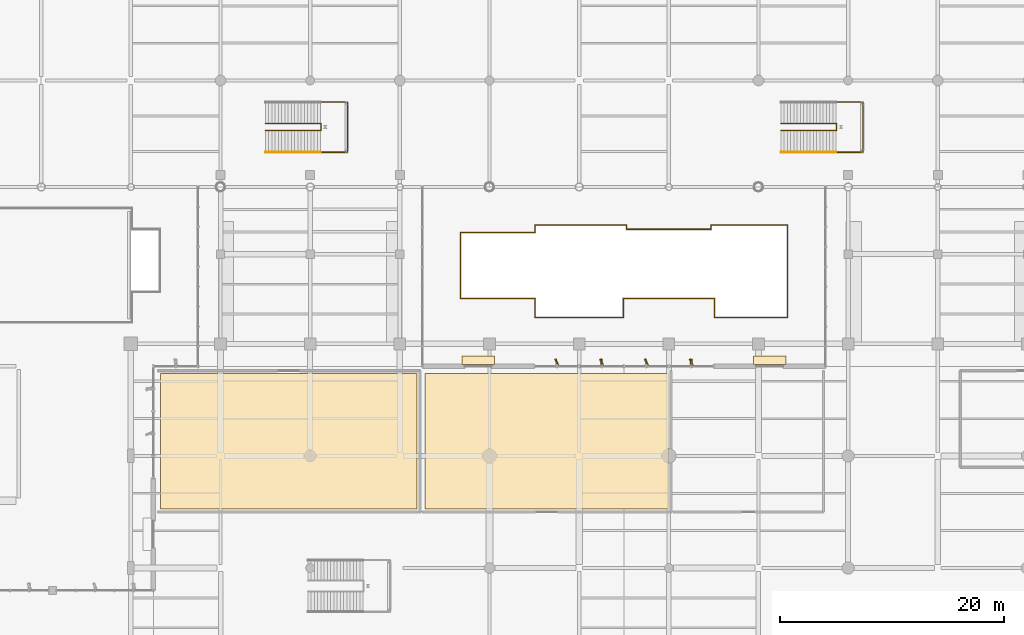
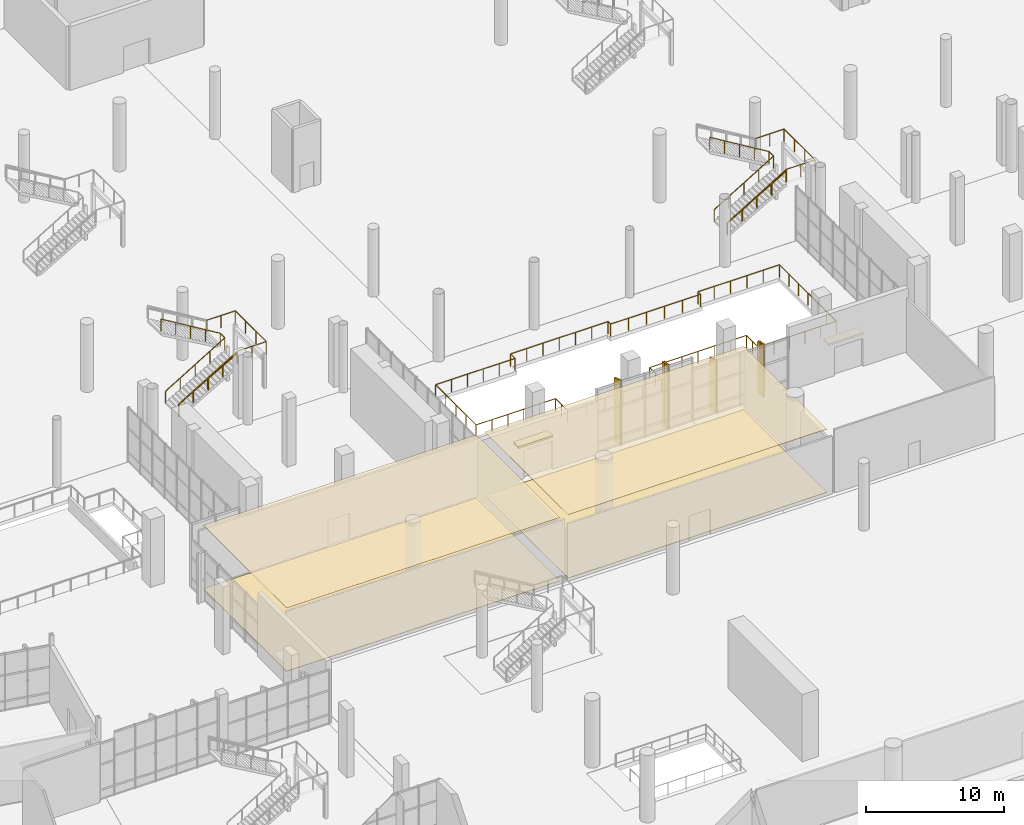
# One storey, part 153 of 163: 9 railings, 8 coverings, 4 shading devices, 2 elements without a shape of their own.
"""IFC4 building model written with IfcOpenShell, lengths in metres."""

from ifc_helpers import new_model, si_unit, direction, frame, origin, origin_2d, place, context, subcontext, project, spatial, polyline, rectangle, outline, extrude, material, layer, layer_set, type_object, element, aggregate, save


model = new_model("IFC4")

# Units and contexts
model_context = context("Model", 3, precision=1e-05, world=origin(), true_north=direction((0.0, 1.0)))
body_context = subcontext(model_context, "Body", "Model", "MODEL_VIEW")
ifc_project = project(units=[si_unit("LENGTHUNIT", "METRE"), si_unit("AREAUNIT", "SQUARE_METRE"), si_unit("VOLUMEUNIT", "CUBIC_METRE"), si_unit("PLANEANGLEUNIT", "RADIAN"), si_unit("MASSUNIT", "GRAM", prefix="KILO")], contexts=[model_context])

# Site, building, storey
site_placement = place(None, origin())
site = spatial("IfcSite", under=ifc_project, at=site_placement, CompositionType="ELEMENT")
building_placement = place(site_placement, origin())
building = spatial("IfcBuilding", under=site, at=building_placement, Name="Khorjan Park Terminus", CompositionType="ELEMENT")
storey_placement = place(building_placement, origin())
storey = spatial("IfcBuildingStorey", under=building, at=storey_placement, Name="L00", CompositionType="ELEMENT", Elevation=0.0)

# Coverings
ifc_material_1 = material(Name="Perforated Acoustic Aluminium Baffle Ceiling", Category="aluminium")
ifc_layer_1 = layer(ifc_material_1, 0.03)
ifc_layer_set_1 = layer_set([ifc_layer_1], Name="Perforated Acoustic Aluminium Baffle Ceiling")
covering_type_1 = type_object("IfcCoveringType", Name="CV-CLG-ACS", PredefinedType="CEILING", material=ifc_layer_set_1)
covering_1_placement = place(storey_placement, frame((0.0, 0.0, 5.615)))
element("IfcCovering", 1, at=covering_1_placement, inside=storey, type_object=covering_type_1, Name="Flush acoustic baffle ceiling AC-60 (L00-RET1)", PredefinedType="CEILING", context=body_context, shape_type="SweptSolid", body=[
    extrude(outline(polyline([(73.55, 85.35), (73.55, 73.25), (50.65, 73.25), (50.65, 85.35), (73.55, 85.35)])), origin(), (0.0, 0.0, 1.0), 0.03),
])
covering_2_placement = place(storey_placement, frame((0.0, 0.0, 5.615)))
element("IfcCovering", 2, at=covering_2_placement, inside=storey, type_object=covering_type_1, Name="Flush acoustic baffle ceiling AC-60 (L00-RET2)", PredefinedType="CEILING", context=body_context, shape_type="SweptSolid", body=[
    extrude(outline(polyline([(95.95, 85.35), (95.95, 73.25), (74.25, 73.25), (74.25, 85.35), (95.95, 85.35)])), origin(), (0.0, 0.0, 1.0), 0.03),
])
ifc_material_2 = material(Name="Pigmented Precast GRC", Category="concrete")
ifc_layer_2 = layer(ifc_material_2, 0.16)
ifc_layer_set_2 = layer_set([ifc_layer_2], Name="Pigmented Precast GRC")
covering_type_2 = type_object("IfcCoveringType", Name="CV-FIN-GRC", PredefinedType="CLADDING", material=ifc_layer_set_2)
covering_3_placement = place(storey_placement, frame((90.0, 86.355, -0.02), z_axis=(0.0, 0.0, 1.0), x_axis=(0.0, -1.0, 0.0)))
element("IfcCovering", 3, at=covering_3_placement, inside=storey, type_object=covering_type_2, Name="Projecting desert-sandstone GRC facade fin CL-FN1 (CW-V2-N-L00-04-1)", PredefinedType="CLADDING", context=body_context, shape_type="SweptSolid", body=[
    extrude(rectangle(XDim=0.58, YDim=0.16, at=origin_2d()), origin(), (0.0, 0.0, 1.0), 5.66),
])
covering_4_placement = place(storey_placement, frame((98.0, 86.355, -0.02), z_axis=(0.0, 0.0, 1.0), x_axis=(0.0, -1.0, 0.0)))
element("IfcCovering", 4, at=covering_4_placement, inside=storey, type_object=covering_type_2, Name="Projecting desert-sandstone GRC facade fin CL-FN1 (CW-V2-N-L00-05-1)", PredefinedType="CLADDING", context=body_context, shape_type="SweptSolid", body=[
    extrude(rectangle(XDim=0.58, YDim=0.16, at=origin_2d()), origin(), (0.0, 0.0, 1.0), 4.665),
])
ifc_material_3 = material(Name="Polished Desert Limestone Terrazzo", Category="masonry")
ifc_layer_3 = layer(ifc_material_3, 0.035)
ifc_layer_set_3 = layer_set([ifc_layer_3], Name="Polished Desert Limestone Terrazzo")
covering_type_3 = type_object("IfcCoveringType", Name="CV-FLR-TRZ", PredefinedType="FLOORING", material=ifc_layer_set_3)
covering_5_placement = place(storey_placement, origin())
element("IfcCovering", 5, at=covering_5_placement, inside=storey, type_object=covering_type_3, Name="Architectural floor finish FF-TRZ (L00-RET1)", PredefinedType="FLOORING", context=body_context, shape_type="SweptSolid", body=[
    extrude(outline(polyline([(73.55, 85.35), (73.55, 73.25), (50.65, 73.25), (50.65, 85.35), (73.55, 85.35)])), origin(), (0.0, 0.0, 1.0), 0.035),
])
covering_6_placement = place(storey_placement, origin())
element("IfcCovering", 6, at=covering_6_placement, inside=storey, type_object=covering_type_3, Name="Architectural floor finish FF-TRZ (L00-RET2)", PredefinedType="FLOORING", context=body_context, shape_type="SweptSolid", body=[
    extrude(outline(polyline([(95.95, 85.35), (95.95, 73.25), (74.25, 73.25), (74.25, 85.35), (95.95, 85.35)])), origin(), (0.0, 0.0, 1.0), 0.035),
])
ifc_layer_4 = layer(ifc_material_2, 0.18)
ifc_layer_set_4 = layer_set([ifc_layer_4], Name="Pigmented Precast GRC")
covering_type_4 = type_object("IfcCoveringType", Name="CV-HOOD-GRC", PredefinedType="CLADDING", material=ifc_layer_set_4)
for number, where, z_axis, x_axis, name in (
    (7, (79.0, 86.53, 2.51), (0.0, 0.0, 1.0), (-1.0, 0.0, 0.0), "Projecting pigmented-GRC entrance canopy hood CL-HD1 (EW-V2-N-L00-03)"),
    (8, (105.0, 86.53, 2.51), (0.0, 0.0, 1.0), (-1.0, 0.0, 0.0), "Projecting pigmented-GRC entrance canopy hood CL-HD1 (EW-V2-N-L00-06)"),
):
    element("IfcCovering", number, at=place(storey_placement, frame(where, z_axis=z_axis, x_axis=x_axis)), inside=storey, type_object=covering_type_4, Name=name, PredefinedType="CLADDING", context=body_context, shape_type="SweptSolid", body=[
        extrude(rectangle(XDim=2.9, YDim=0.76, at=origin_2d()), origin(), (0.0, 0.0, 1.0), 0.18),
    ])

# Stair, railings
ifc_material_4 = material(Name="Concrete C40/50", Category="concrete")
stair_type = type_object("IfcStairType", Name="STR-PUB-200", PredefinedType="HALF_TURN_STAIR", material=ifc_material_4)
stair_1_placement = place(storey_placement, origin())
stair_1 = element("IfcStair", 9, at=stair_1_placement, inside=storey, type_object=stair_type, Name="Public passenger half-turn stair PS-01", PredefinedType="HALF_TURN_STAIR")
ifc_material_5 = material(Name="Steel S355", Category="steel")
railing_type_1 = type_object("IfcRailingType", Name="GR-112", PredefinedType="GUARDRAIL", material=ifc_material_5)
railing_1_placement = place(storey_placement, frame((60.0, 107.02, 0.0)))
railing_1 = element("IfcRailing", 10, at=railing_1_placement, type_object=railing_type_1, Name="Stair PS-01 inner well slot guard GR-112", PredefinedType="GUARDRAIL", context=body_context, shape_type="SweptSolid", body=[
    extrude(rectangle(XDim=0.048, YDim=0.048, at=origin_2d()), frame((0.0, 0.0, 1.096), z_axis=(0.856121964148, 0.0, 0.516773821418), x_axis=(0.0, 1.0, 0.0)), (0.0, 0.0, 1.0), 5.8052),
    extrude(rectangle(XDim=0.048, YDim=0.048, at=origin_2d()), frame((4.97, 0.0, 4.096), z_axis=(0.0, 1.0, 0.0), x_axis=(-1.0, 0.0, 0.0)), (0.0, 0.0, 1.0), 0.66),
    extrude(rectangle(XDim=0.048, YDim=0.048, at=origin_2d()), frame((4.97, 0.66, 4.096), z_axis=(-0.856121964148, 0.0, 0.516773821418), x_axis=(0.0, -1.0, 0.0)), (0.0, 0.0, 1.0), 5.8052),
    extrude(rectangle(XDim=0.042, YDim=0.042, at=origin_2d()), origin(), (0.0, 0.0, 1.0), 1.072),
    extrude(rectangle(XDim=0.042, YDim=0.042, at=origin_2d()), frame((1.2425, 0.0, 0.75)), (0.0, 0.0, 1.0), 1.072),
    extrude(rectangle(XDim=0.042, YDim=0.042, at=origin_2d()), frame((2.485, 0.0, 1.5)), (0.0, 0.0, 1.0), 1.072),
    extrude(rectangle(XDim=0.042, YDim=0.042, at=origin_2d()), frame((3.7275, 0.0, 2.25)), (0.0, 0.0, 1.0), 1.072),
    extrude(rectangle(XDim=0.042, YDim=0.042, at=origin_2d()), frame((4.97, 0.0, 3.0)), (0.0, 0.0, 1.0), 1.072),
    extrude(rectangle(XDim=0.042, YDim=0.042, at=origin_2d()), frame((4.97, 0.66, 3.0)), (0.0, 0.0, 1.0), 1.072),
    extrude(rectangle(XDim=0.042, YDim=0.042, at=origin_2d()), frame((3.7275, 0.66, 3.75)), (0.0, 0.0, 1.0), 1.072),
    extrude(rectangle(XDim=0.042, YDim=0.042, at=origin_2d()), frame((2.485, 0.66, 4.5)), (0.0, 0.0, 1.0), 1.072),
    extrude(rectangle(XDim=0.042, YDim=0.042, at=origin_2d()), frame((1.2425, 0.66, 5.25)), (0.0, 0.0, 1.0), 1.072),
    extrude(rectangle(XDim=0.042, YDim=0.042, at=origin_2d()), frame((0.0, 0.66, 6.0)), (0.0, 0.0, 1.0), 1.072),
])
railing_2_placement = place(storey_placement, frame((64.93, 105.1, 3.0)))
railing_2 = element("IfcRailing", 11, at=railing_2_placement, type_object=railing_type_1, Name="Stair PS-01 horizontal half-landing guard GR-112", PredefinedType="GUARDRAIL", context=body_context, shape_type="SweptSolid", body=[
    extrude(rectangle(XDim=0.048, YDim=0.048, at=origin_2d()), frame((0.0, 0.0, 1.096), z_axis=(1.0, 0.0, 0.0), x_axis=(0.0, 1.0, 0.0)), (0.0, 0.0, 1.0), 2.41),
    extrude(rectangle(XDim=0.048, YDim=0.048, at=origin_2d()), frame((2.41, 0.0, 1.096), z_axis=(0.0, 1.0, 0.0), x_axis=(-1.0, 0.0, 0.0)), (0.0, 0.0, 1.0), 4.5),
    extrude(rectangle(XDim=0.048, YDim=0.048, at=origin_2d()), frame((2.41, 4.5, 1.096), z_axis=(-1.0, 0.0, 0.0), x_axis=(0.0, -1.0, 0.0)), (0.0, 0.0, 1.0), 2.41),
    extrude(rectangle(XDim=0.042, YDim=0.042, at=origin_2d()), origin(), (0.0, 0.0, 1.0), 1.072),
    extrude(rectangle(XDim=0.042, YDim=0.042, at=origin_2d()), frame((1.205, 0.0, 0.0)), (0.0, 0.0, 1.0), 1.072),
    extrude(rectangle(XDim=0.042, YDim=0.042, at=origin_2d()), frame((2.41, 0.0, 0.0)), (0.0, 0.0, 1.0), 1.072),
    extrude(rectangle(XDim=0.042, YDim=0.042, at=origin_2d()), frame((2.41, 1.5, 0.0)), (0.0, 0.0, 1.0), 1.072),
    extrude(rectangle(XDim=0.042, YDim=0.042, at=origin_2d()), frame((2.41, 3.0, 0.0)), (0.0, 0.0, 1.0), 1.072),
    extrude(rectangle(XDim=0.042, YDim=0.042, at=origin_2d()), frame((2.41, 4.5, 0.0)), (0.0, 0.0, 1.0), 1.072),
    extrude(rectangle(XDim=0.042, YDim=0.042, at=origin_2d()), frame((1.205, 4.5, 0.0)), (0.0, 0.0, 1.0), 1.072),
    extrude(rectangle(XDim=0.042, YDim=0.042, at=origin_2d()), frame((0.0, 4.5, 0.0)), (0.0, 0.0, 1.0), 1.072),
])
railing_3_placement = place(storey_placement, frame((60.0, 105.1, 0.0)))
railing_3 = element("IfcRailing", 12, at=railing_3_placement, type_object=railing_type_1, Name="Stair PS-01 lower outer flight guard GR-112", PredefinedType="GUARDRAIL", context=body_context, shape_type="SweptSolid", body=[
    extrude(rectangle(XDim=0.048, YDim=0.048, at=origin_2d()), frame((0.0, 0.0, 1.096), z_axis=(0.854265470084, 0.0, 0.519837000051), x_axis=(0.0, 1.0, 0.0)), (0.0, 0.0, 1.0), 5.771),
    extrude(rectangle(XDim=0.042, YDim=0.042, at=origin_2d()), origin(), (0.0, 0.0, 1.0), 1.072),
    extrude(rectangle(XDim=0.042, YDim=0.042, at=origin_2d()), frame((1.2325, 0.0, 0.75)), (0.0, 0.0, 1.0), 1.072),
    extrude(rectangle(XDim=0.042, YDim=0.042, at=origin_2d()), frame((2.465, 0.0, 1.5)), (0.0, 0.0, 1.0), 1.072),
    extrude(rectangle(XDim=0.042, YDim=0.042, at=origin_2d()), frame((3.6975, 0.0, 2.25)), (0.0, 0.0, 1.0), 1.072),
    extrude(rectangle(XDim=0.042, YDim=0.042, at=origin_2d()), frame((4.93, 0.0, 3.0)), (0.0, 0.0, 1.0), 1.072),
])

stair_2_placement = place(storey_placement, origin())
stair_2 = element("IfcStair", 13, at=stair_2_placement, inside=storey, type_object=stair_type, Name="Public passenger half-turn stair PS-02", PredefinedType="HALF_TURN_STAIR")
railing_4_placement = place(storey_placement, frame((106.0, 107.02, 0.0)))
railing_4 = element("IfcRailing", 14, at=railing_4_placement, type_object=railing_type_1, Name="Stair PS-02 inner well slot guard GR-112", PredefinedType="GUARDRAIL", context=body_context, shape_type="SweptSolid", body=[
    extrude(rectangle(XDim=0.048, YDim=0.048, at=origin_2d()), frame((0.0, 0.0, 1.096), z_axis=(0.856121964148, 0.0, 0.516773821418), x_axis=(0.0, 1.0, 0.0)), (0.0, 0.0, 1.0), 5.8052),
    extrude(rectangle(XDim=0.048, YDim=0.048, at=origin_2d()), frame((4.97, 0.0, 4.096), z_axis=(0.0, 1.0, 0.0), x_axis=(-1.0, 0.0, 0.0)), (0.0, 0.0, 1.0), 0.66),
    extrude(rectangle(XDim=0.048, YDim=0.048, at=origin_2d()), frame((4.97, 0.66, 4.096), z_axis=(-0.856121964148, 0.0, 0.516773821418), x_axis=(0.0, -1.0, 0.0)), (0.0, 0.0, 1.0), 5.8052),
    extrude(rectangle(XDim=0.042, YDim=0.042, at=origin_2d()), origin(), (0.0, 0.0, 1.0), 1.072),
    extrude(rectangle(XDim=0.042, YDim=0.042, at=origin_2d()), frame((1.2425, 0.0, 0.75)), (0.0, 0.0, 1.0), 1.072),
    extrude(rectangle(XDim=0.042, YDim=0.042, at=origin_2d()), frame((2.485, 0.0, 1.5)), (0.0, 0.0, 1.0), 1.072),
    extrude(rectangle(XDim=0.042, YDim=0.042, at=origin_2d()), frame((3.7275, 0.0, 2.25)), (0.0, 0.0, 1.0), 1.072),
    extrude(rectangle(XDim=0.042, YDim=0.042, at=origin_2d()), frame((4.97, 0.0, 3.0)), (0.0, 0.0, 1.0), 1.072),
    extrude(rectangle(XDim=0.042, YDim=0.042, at=origin_2d()), frame((4.97, 0.66, 3.0)), (0.0, 0.0, 1.0), 1.072),
    extrude(rectangle(XDim=0.042, YDim=0.042, at=origin_2d()), frame((3.7275, 0.66, 3.75)), (0.0, 0.0, 1.0), 1.072),
    extrude(rectangle(XDim=0.042, YDim=0.042, at=origin_2d()), frame((2.485, 0.66, 4.5)), (0.0, 0.0, 1.0), 1.072),
    extrude(rectangle(XDim=0.042, YDim=0.042, at=origin_2d()), frame((1.2425, 0.66, 5.25)), (0.0, 0.0, 1.0), 1.072),
    extrude(rectangle(XDim=0.042, YDim=0.042, at=origin_2d()), frame((0.0, 0.66, 6.0)), (0.0, 0.0, 1.0), 1.072),
])
railing_5_placement = place(storey_placement, frame((110.93, 105.1, 3.0)))
railing_5 = element("IfcRailing", 15, at=railing_5_placement, type_object=railing_type_1, Name="Stair PS-02 horizontal half-landing guard GR-112", PredefinedType="GUARDRAIL", context=body_context, shape_type="SweptSolid", body=[
    extrude(rectangle(XDim=0.048, YDim=0.048, at=origin_2d()), frame((0.0, 0.0, 1.096), z_axis=(1.0, 0.0, 0.0), x_axis=(0.0, 1.0, 0.0)), (0.0, 0.0, 1.0), 2.41),
    extrude(rectangle(XDim=0.048, YDim=0.048, at=origin_2d()), frame((2.41, 0.0, 1.096), z_axis=(0.0, 1.0, 0.0), x_axis=(-1.0, 0.0, 0.0)), (0.0, 0.0, 1.0), 4.5),
    extrude(rectangle(XDim=0.048, YDim=0.048, at=origin_2d()), frame((2.41, 4.5, 1.096), z_axis=(-1.0, 0.0, 0.0), x_axis=(0.0, -1.0, 0.0)), (0.0, 0.0, 1.0), 2.41),
    extrude(rectangle(XDim=0.042, YDim=0.042, at=origin_2d()), origin(), (0.0, 0.0, 1.0), 1.072),
    extrude(rectangle(XDim=0.042, YDim=0.042, at=origin_2d()), frame((1.205, 0.0, 0.0)), (0.0, 0.0, 1.0), 1.072),
    extrude(rectangle(XDim=0.042, YDim=0.042, at=origin_2d()), frame((2.41, 0.0, 0.0)), (0.0, 0.0, 1.0), 1.072),
    extrude(rectangle(XDim=0.042, YDim=0.042, at=origin_2d()), frame((2.41, 1.5, 0.0)), (0.0, 0.0, 1.0), 1.072),
    extrude(rectangle(XDim=0.042, YDim=0.042, at=origin_2d()), frame((2.41, 3.0, 0.0)), (0.0, 0.0, 1.0), 1.072),
    extrude(rectangle(XDim=0.042, YDim=0.042, at=origin_2d()), frame((2.41, 4.5, 0.0)), (0.0, 0.0, 1.0), 1.072),
    extrude(rectangle(XDim=0.042, YDim=0.042, at=origin_2d()), frame((1.205, 4.5, 0.0)), (0.0, 0.0, 1.0), 1.072),
    extrude(rectangle(XDim=0.042, YDim=0.042, at=origin_2d()), frame((0.0, 4.5, 0.0)), (0.0, 0.0, 1.0), 1.072),
])
railing_6_placement = place(storey_placement, frame((106.0, 105.1, 0.0)))
railing_6 = element("IfcRailing", 16, at=railing_6_placement, type_object=railing_type_1, Name="Stair PS-02 lower outer flight guard GR-112", PredefinedType="GUARDRAIL", context=body_context, shape_type="SweptSolid", body=[
    extrude(rectangle(XDim=0.048, YDim=0.048, at=origin_2d()), frame((0.0, 0.0, 1.096), z_axis=(0.854265470084, 0.0, 0.519837000051), x_axis=(0.0, 1.0, 0.0)), (0.0, 0.0, 1.0), 5.771),
    extrude(rectangle(XDim=0.042, YDim=0.042, at=origin_2d()), origin(), (0.0, 0.0, 1.0), 1.072),
    extrude(rectangle(XDim=0.042, YDim=0.042, at=origin_2d()), frame((1.2325, 0.0, 0.75)), (0.0, 0.0, 1.0), 1.072),
    extrude(rectangle(XDim=0.042, YDim=0.042, at=origin_2d()), frame((2.465, 0.0, 1.5)), (0.0, 0.0, 1.0), 1.072),
    extrude(rectangle(XDim=0.042, YDim=0.042, at=origin_2d()), frame((3.6975, 0.0, 2.25)), (0.0, 0.0, 1.0), 1.072),
    extrude(rectangle(XDim=0.042, YDim=0.042, at=origin_2d()), frame((4.93, 0.0, 3.0)), (0.0, 0.0, 1.0), 1.072),
])

# Railing
railing_type_2 = type_object("IfcRailingType", Name="GR-EXT", PredefinedType="GUARDRAIL", material=ifc_material_5)
railing_7_placement = place(storey_placement, frame((100.06, 90.35, 0.0)))
element("IfcRailing", 17, at=railing_7_placement, inside=storey, type_object=railing_type_2, Name="Perimeter safety guard GR-EXT (L00-13)", PredefinedType="GUARDRAIL", context=body_context, shape_type="SweptSolid", body=[
    extrude(rectangle(XDim=0.048, YDim=0.048, at=origin_2d()), frame((0.0, 0.0, 1.096), z_axis=(1.0, 0.0, 0.0), x_axis=(0.0, 1.0, 0.0)), (0.0, 0.0, 1.0), 6.54),
    extrude(rectangle(XDim=0.048, YDim=0.048, at=origin_2d()), frame((6.54, 0.0, 1.096), z_axis=(0.0, 1.0, 0.0), x_axis=(-1.0, 0.0, 0.0)), (0.0, 0.0, 1.0), 8.25),
    extrude(rectangle(XDim=0.048, YDim=0.048, at=origin_2d()), frame((6.54, 8.25, 1.096), z_axis=(-1.0, 0.0, 0.0), x_axis=(0.0, -1.0, 0.0)), (0.0, 0.0, 1.0), 6.829),
    extrude(rectangle(XDim=0.048, YDim=0.048, at=origin_2d()), frame((-0.289, 8.25, 1.096), z_axis=(0.0, -1.0, 0.0), x_axis=(1.0, 0.0, 0.0)), (0.0, 0.0, 1.0), 0.371),
    extrude(rectangle(XDim=0.048, YDim=0.048, at=origin_2d()), frame((-0.289, 7.879, 1.096), z_axis=(-1.0, 0.0, 0.0), x_axis=(0.0, -1.0, 0.0)), (0.0, 0.0, 1.0), 7.542),
    extrude(rectangle(XDim=0.048, YDim=0.048, at=origin_2d()), frame((-7.831, 7.879, 1.096), z_axis=(0.0, 1.0, 0.0), x_axis=(-1.0, 0.0, 0.0)), (0.0, 0.0, 1.0), 0.371),
    extrude(rectangle(XDim=0.048, YDim=0.048, at=origin_2d()), frame((-7.831, 8.25, 1.096), z_axis=(-1.0, 0.0, 0.0), x_axis=(0.0, -1.0, 0.0)), (0.0, 0.0, 1.0), 8.169),
    extrude(rectangle(XDim=0.048, YDim=0.048, at=origin_2d()), frame((-16.0, 8.25, 1.096), z_axis=(0.0, -1.0, 0.0), x_axis=(1.0, 0.0, 0.0)), (0.0, 0.0, 1.0), 0.66),
    extrude(rectangle(XDim=0.048, YDim=0.048, at=origin_2d()), frame((-16.0, 7.59, 1.096), z_axis=(-1.0, 0.0, 0.0), x_axis=(0.0, -1.0, 0.0)), (0.0, 0.0, 1.0), 6.66),
    extrude(rectangle(XDim=0.048, YDim=0.048, at=origin_2d()), frame((-22.66, 7.59, 1.096), z_axis=(0.0, -1.0, 0.0), x_axis=(1.0, 0.0, 0.0)), (0.0, 0.0, 1.0), 5.88),
    extrude(rectangle(XDim=0.048, YDim=0.048, at=origin_2d()), frame((-22.66, 1.71, 1.096), z_axis=(1.0, 0.0, 0.0), x_axis=(0.0, 1.0, 0.0)), (0.0, 0.0, 1.0), 6.66),
    extrude(rectangle(XDim=0.048, YDim=0.048, at=origin_2d()), frame((-16.0, 1.71, 1.096), z_axis=(0.0, -1.0, 0.0), x_axis=(1.0, 0.0, 0.0)), (0.0, 0.0, 1.0), 1.71),
    extrude(rectangle(XDim=0.048, YDim=0.048, at=origin_2d()), frame((-16.0, 0.0, 1.096), z_axis=(1.0, 0.0, 0.0), x_axis=(0.0, 1.0, 0.0)), (0.0, 0.0, 1.0), 7.88),
    extrude(rectangle(XDim=0.048, YDim=0.048, at=origin_2d()), frame((-8.12, 0.0, 1.096), z_axis=(0.0, 1.0, 0.0), x_axis=(-1.0, 0.0, 0.0)), (0.0, 0.0, 1.0), 1.71),
    extrude(rectangle(XDim=0.048, YDim=0.048, at=origin_2d()), frame((-8.12, 1.71, 1.096), z_axis=(1.0, 0.0, 0.0), x_axis=(0.0, 1.0, 0.0)), (0.0, 0.0, 1.0), 8.12),
    extrude(rectangle(XDim=0.048, YDim=0.048, at=origin_2d()), frame((0.0, 1.71, 1.096), z_axis=(0.0, -1.0, 0.0), x_axis=(1.0, 0.0, 0.0)), (0.0, 0.0, 1.0), 1.71),
    extrude(rectangle(XDim=0.042, YDim=0.042, at=origin_2d()), origin(), (0.0, 0.0, 1.0), 1.072),
    extrude(rectangle(XDim=0.042, YDim=0.042, at=origin_2d()), frame((1.308, 0.0, 0.0)), (0.0, 0.0, 1.0), 1.072),
    extrude(rectangle(XDim=0.042, YDim=0.042, at=origin_2d()), frame((2.616, 0.0, 0.0)), (0.0, 0.0, 1.0), 1.072),
    extrude(rectangle(XDim=0.042, YDim=0.042, at=origin_2d()), frame((3.924, 0.0, 0.0)), (0.0, 0.0, 1.0), 1.072),
    extrude(rectangle(XDim=0.042, YDim=0.042, at=origin_2d()), frame((5.232, 0.0, 0.0)), (0.0, 0.0, 1.0), 1.072),
    extrude(rectangle(XDim=0.042, YDim=0.042, at=origin_2d()), frame((6.54, 0.0, 0.0)), (0.0, 0.0, 1.0), 1.072),
    extrude(rectangle(XDim=0.042, YDim=0.042, at=origin_2d()), frame((6.54, 1.375, 0.0)), (0.0, 0.0, 1.0), 1.072),
    extrude(rectangle(XDim=0.042, YDim=0.042, at=origin_2d()), frame((6.54, 2.75, 0.0)), (0.0, 0.0, 1.0), 1.072),
    extrude(rectangle(XDim=0.042, YDim=0.042, at=origin_2d()), frame((6.54, 4.125, 0.0)), (0.0, 0.0, 1.0), 1.072),
    extrude(rectangle(XDim=0.042, YDim=0.042, at=origin_2d()), frame((6.54, 5.5, 0.0)), (0.0, 0.0, 1.0), 1.072),
    extrude(rectangle(XDim=0.042, YDim=0.042, at=origin_2d()), frame((6.54, 6.875, 0.0)), (0.0, 0.0, 1.0), 1.072),
    extrude(rectangle(XDim=0.042, YDim=0.042, at=origin_2d()), frame((6.54, 8.25, 0.0)), (0.0, 0.0, 1.0), 1.072),
    extrude(rectangle(XDim=0.042, YDim=0.042, at=origin_2d()), frame((5.1742, 8.25, 0.0)), (0.0, 0.0, 1.0), 1.072),
    extrude(rectangle(XDim=0.042, YDim=0.042, at=origin_2d()), frame((3.8084, 8.25, 0.0)), (0.0, 0.0, 1.0), 1.072),
    extrude(rectangle(XDim=0.042, YDim=0.042, at=origin_2d()), frame((2.4426, 8.25, 0.0)), (0.0, 0.0, 1.0), 1.072),
    extrude(rectangle(XDim=0.042, YDim=0.042, at=origin_2d()), frame((1.0768, 8.25, 0.0)), (0.0, 0.0, 1.0), 1.072),
    extrude(rectangle(XDim=0.042, YDim=0.042, at=origin_2d()), frame((-0.289, 8.25, 0.0)), (0.0, 0.0, 1.0), 1.072),
    extrude(rectangle(XDim=0.042, YDim=0.042, at=origin_2d()), frame((-0.289, 7.879, 0.0)), (0.0, 0.0, 1.0), 1.072),
    extrude(rectangle(XDim=0.042, YDim=0.042, at=origin_2d()), frame((-1.7974, 7.879, 0.0)), (0.0, 0.0, 1.0), 1.072),
    extrude(rectangle(XDim=0.042, YDim=0.042, at=origin_2d()), frame((-3.3058, 7.879, 0.0)), (0.0, 0.0, 1.0), 1.072),
    extrude(rectangle(XDim=0.042, YDim=0.042, at=origin_2d()), frame((-4.8142, 7.879, 0.0)), (0.0, 0.0, 1.0), 1.072),
    extrude(rectangle(XDim=0.042, YDim=0.042, at=origin_2d()), frame((-6.3226, 7.879, 0.0)), (0.0, 0.0, 1.0), 1.072),
    extrude(rectangle(XDim=0.042, YDim=0.042, at=origin_2d()), frame((-7.831, 7.879, 0.0)), (0.0, 0.0, 1.0), 1.072),
    extrude(rectangle(XDim=0.042, YDim=0.042, at=origin_2d()), frame((-7.831, 8.25, 0.0)), (0.0, 0.0, 1.0), 1.072),
    extrude(rectangle(XDim=0.042, YDim=0.042, at=origin_2d()), frame((-9.1925, 8.25, 0.0)), (0.0, 0.0, 1.0), 1.072),
    extrude(rectangle(XDim=0.042, YDim=0.042, at=origin_2d()), frame((-10.554, 8.25, 0.0)), (0.0, 0.0, 1.0), 1.072),
    extrude(rectangle(XDim=0.042, YDim=0.042, at=origin_2d()), frame((-11.9155, 8.25, 0.0)), (0.0, 0.0, 1.0), 1.072),
    extrude(rectangle(XDim=0.042, YDim=0.042, at=origin_2d()), frame((-13.277, 8.25, 0.0)), (0.0, 0.0, 1.0), 1.072),
    extrude(rectangle(XDim=0.042, YDim=0.042, at=origin_2d()), frame((-14.6385, 8.25, 0.0)), (0.0, 0.0, 1.0), 1.072),
    extrude(rectangle(XDim=0.042, YDim=0.042, at=origin_2d()), frame((-16.0, 8.25, 0.0)), (0.0, 0.0, 1.0), 1.072),
    extrude(rectangle(XDim=0.042, YDim=0.042, at=origin_2d()), frame((-16.0, 7.59, 0.0)), (0.0, 0.0, 1.0), 1.072),
    extrude(rectangle(XDim=0.042, YDim=0.042, at=origin_2d()), frame((-17.332, 7.59, 0.0)), (0.0, 0.0, 1.0), 1.072),
    extrude(rectangle(XDim=0.042, YDim=0.042, at=origin_2d()), frame((-18.664, 7.59, 0.0)), (0.0, 0.0, 1.0), 1.072),
    extrude(rectangle(XDim=0.042, YDim=0.042, at=origin_2d()), frame((-19.996, 7.59, 0.0)), (0.0, 0.0, 1.0), 1.072),
    extrude(rectangle(XDim=0.042, YDim=0.042, at=origin_2d()), frame((-21.328, 7.59, 0.0)), (0.0, 0.0, 1.0), 1.072),
    extrude(rectangle(XDim=0.042, YDim=0.042, at=origin_2d()), frame((-22.66, 7.59, 0.0)), (0.0, 0.0, 1.0), 1.072),
    extrude(rectangle(XDim=0.042, YDim=0.042, at=origin_2d()), frame((-22.66, 6.12, 0.0)), (0.0, 0.0, 1.0), 1.072),
    extrude(rectangle(XDim=0.042, YDim=0.042, at=origin_2d()), frame((-22.66, 4.65, 0.0)), (0.0, 0.0, 1.0), 1.072),
    extrude(rectangle(XDim=0.042, YDim=0.042, at=origin_2d()), frame((-22.66, 3.18, 0.0)), (0.0, 0.0, 1.0), 1.072),
    extrude(rectangle(XDim=0.042, YDim=0.042, at=origin_2d()), frame((-22.66, 1.71, 0.0)), (0.0, 0.0, 1.0), 1.072),
    extrude(rectangle(XDim=0.042, YDim=0.042, at=origin_2d()), frame((-21.328, 1.71, 0.0)), (0.0, 0.0, 1.0), 1.072),
    extrude(rectangle(XDim=0.042, YDim=0.042, at=origin_2d()), frame((-19.996, 1.71, 0.0)), (0.0, 0.0, 1.0), 1.072),
    extrude(rectangle(XDim=0.042, YDim=0.042, at=origin_2d()), frame((-18.664, 1.71, 0.0)), (0.0, 0.0, 1.0), 1.072),
    extrude(rectangle(XDim=0.042, YDim=0.042, at=origin_2d()), frame((-17.332, 1.71, 0.0)), (0.0, 0.0, 1.0), 1.072),
    extrude(rectangle(XDim=0.042, YDim=0.042, at=origin_2d()), frame((-16.0, 1.71, 0.0)), (0.0, 0.0, 1.0), 1.072),
    extrude(rectangle(XDim=0.042, YDim=0.042, at=origin_2d()), frame((-16.0, 0.855, 0.0)), (0.0, 0.0, 1.0), 1.072),
    extrude(rectangle(XDim=0.042, YDim=0.042, at=origin_2d()), frame((-16.0, 0.0, 0.0)), (0.0, 0.0, 1.0), 1.072),
    extrude(rectangle(XDim=0.042, YDim=0.042, at=origin_2d()), frame((-14.424, 0.0, 0.0)), (0.0, 0.0, 1.0), 1.072),
    extrude(rectangle(XDim=0.042, YDim=0.042, at=origin_2d()), frame((-12.848, 0.0, 0.0)), (0.0, 0.0, 1.0), 1.072),
    extrude(rectangle(XDim=0.042, YDim=0.042, at=origin_2d()), frame((-11.272, 0.0, 0.0)), (0.0, 0.0, 1.0), 1.072),
    extrude(rectangle(XDim=0.042, YDim=0.042, at=origin_2d()), frame((-9.696, 0.0, 0.0)), (0.0, 0.0, 1.0), 1.072),
    extrude(rectangle(XDim=0.042, YDim=0.042, at=origin_2d()), frame((-8.12, 0.0, 0.0)), (0.0, 0.0, 1.0), 1.072),
    extrude(rectangle(XDim=0.042, YDim=0.042, at=origin_2d()), frame((-8.12, 0.855, 0.0)), (0.0, 0.0, 1.0), 1.072),
    extrude(rectangle(XDim=0.042, YDim=0.042, at=origin_2d()), frame((-8.12, 1.71, 0.0)), (0.0, 0.0, 1.0), 1.072),
    extrude(rectangle(XDim=0.042, YDim=0.042, at=origin_2d()), frame((-6.7667, 1.71, 0.0)), (0.0, 0.0, 1.0), 1.072),
    extrude(rectangle(XDim=0.042, YDim=0.042, at=origin_2d()), frame((-5.4133, 1.71, 0.0)), (0.0, 0.0, 1.0), 1.072),
    extrude(rectangle(XDim=0.042, YDim=0.042, at=origin_2d()), frame((-4.06, 1.71, 0.0)), (0.0, 0.0, 1.0), 1.072),
    extrude(rectangle(XDim=0.042, YDim=0.042, at=origin_2d()), frame((-2.7067, 1.71, 0.0)), (0.0, 0.0, 1.0), 1.072),
    extrude(rectangle(XDim=0.042, YDim=0.042, at=origin_2d()), frame((-1.3533, 1.71, 0.0)), (0.0, 0.0, 1.0), 1.072),
    extrude(rectangle(XDim=0.042, YDim=0.042, at=origin_2d()), frame((0.0, 1.71, 0.0)), (0.0, 0.0, 1.0), 1.072),
    extrude(rectangle(XDim=0.042, YDim=0.042, at=origin_2d()), frame((0.0, 0.855, 0.0)), (0.0, 0.0, 1.0), 1.072),
])

railing_type_3 = type_object("IfcRailingType", Name="HR-92", PredefinedType="HANDRAIL", material=ifc_material_5)
railing_8_placement = place(storey_placement, frame((60.0, 105.14, 0.1667)))
railing_8 = element("IfcRailing", 18, at=railing_8_placement, type_object=railing_type_3, Name="Stair PS-01 lower handrail HR-92", PredefinedType="HANDRAIL", context=body_context, shape_type="SweptSolid", body=[
    extrude(rectangle(XDim=0.048, YDim=0.048, at=origin_2d()), frame((0.0, 0.0, 0.896), z_axis=(0.867016476548, 0.0, 0.498279469169), x_axis=(0.0, 1.0, 0.0)), (0.0, 0.0, 1.0), 5.6862),
    extrude(rectangle(XDim=0.042, YDim=0.042, at=origin_2d()), origin(), (0.0, 0.0, 1.0), 0.872),
    extrude(rectangle(XDim=0.042, YDim=0.042, at=origin_2d()), frame((1.2325, 0.0, 0.7083)), (0.0, 0.0, 1.0), 0.872),
    extrude(rectangle(XDim=0.042, YDim=0.042, at=origin_2d()), frame((2.465, 0.0, 1.4166)), (0.0, 0.0, 1.0), 0.872),
    extrude(rectangle(XDim=0.042, YDim=0.042, at=origin_2d()), frame((3.6975, 0.0, 2.125)), (0.0, 0.0, 1.0), 0.872),
    extrude(rectangle(XDim=0.042, YDim=0.042, at=origin_2d()), frame((4.93, 0.0, 2.8333)), (0.0, 0.0, 1.0), 0.872),
])

aggregate(stair_1, [railing_8, railing_1, railing_2, railing_3])

railing_9_placement = place(storey_placement, frame((106.0, 105.14, 0.1667)))
railing_9 = element("IfcRailing", 19, at=railing_9_placement, type_object=railing_type_3, Name="Stair PS-02 lower handrail HR-92", PredefinedType="HANDRAIL", context=body_context, shape_type="SweptSolid", body=[
    extrude(rectangle(XDim=0.048, YDim=0.048, at=origin_2d()), frame((0.0, 0.0, 0.896), z_axis=(0.867016476548, 0.0, 0.498279469169), x_axis=(0.0, 1.0, 0.0)), (0.0, 0.0, 1.0), 5.6862),
    extrude(rectangle(XDim=0.042, YDim=0.042, at=origin_2d()), origin(), (0.0, 0.0, 1.0), 0.872),
    extrude(rectangle(XDim=0.042, YDim=0.042, at=origin_2d()), frame((1.2325, 0.0, 0.7083)), (0.0, 0.0, 1.0), 0.872),
    extrude(rectangle(XDim=0.042, YDim=0.042, at=origin_2d()), frame((2.465, 0.0, 1.4166)), (0.0, 0.0, 1.0), 0.872),
    extrude(rectangle(XDim=0.042, YDim=0.042, at=origin_2d()), frame((3.6975, 0.0, 2.125)), (0.0, 0.0, 1.0), 0.872),
    extrude(rectangle(XDim=0.042, YDim=0.042, at=origin_2d()), frame((4.93, 0.0, 2.8333)), (0.0, 0.0, 1.0), 0.872),
])

aggregate(stair_2, [railing_9, railing_4, railing_5, railing_6])

# Shading devices
ifc_material_6 = material(Name="Anodized Bronze Aluminium", Category="aluminium")
shading_device_type = type_object("IfcShadingDeviceType", Name="SD-FIN-620", PredefinedType="JALOUSIE", material=ifc_material_6)
for number, where, z_axis, x_axis, name in (
    (20, (90.0, 86.355, -0.02), (0.0, 0.0, 1.0), (0.374606593416, -0.927183854567, 0.0), "Angled solar brise-soleil fin SF-62 (CW-V2-N-L00-04-1)"),
    (21, (86.0, 86.355, -0.02), (0.0, 0.0, 1.0), (0.374606593416, -0.927183854567, 0.0), "Angled solar brise-soleil fin SF-62 (CW-V2-N-L00-04-3)"),
):
    element("IfcShadingDevice", number, at=place(storey_placement, frame(where, z_axis=z_axis, x_axis=x_axis)), inside=storey, type_object=shading_device_type, Name=name, PredefinedType="JALOUSIE", context=body_context, shape_type="SweptSolid", body=[
        extrude(rectangle(XDim=0.62, YDim=0.14, at=origin_2d()), origin(), (0.0, 0.0, 1.0), 5.66),
    ])
for number, where, z_axis, x_axis, name in (
    (22, (98.0, 86.355, -0.02), (0.0, 0.0, 1.0), (0.374606593416, -0.927183854567, 0.0), "Angled solar brise-soleil fin SF-62 (CW-V2-N-L00-05-1)"),
    (23, (94.0, 86.355, -0.02), (0.0, 0.0, 1.0), (0.374606593416, -0.927183854567, 0.0), "Angled solar brise-soleil fin SF-62 (CW-V2-N-L00-05-3)"),
):
    element("IfcShadingDevice", number, at=place(storey_placement, frame(where, z_axis=z_axis, x_axis=x_axis)), inside=storey, type_object=shading_device_type, Name=name, PredefinedType="JALOUSIE", context=body_context, shape_type="SweptSolid", body=[
        extrude(rectangle(XDim=0.62, YDim=0.14, at=origin_2d()), origin(), (0.0, 0.0, 1.0), 4.665),
    ])

save(model, "model.ifc")
